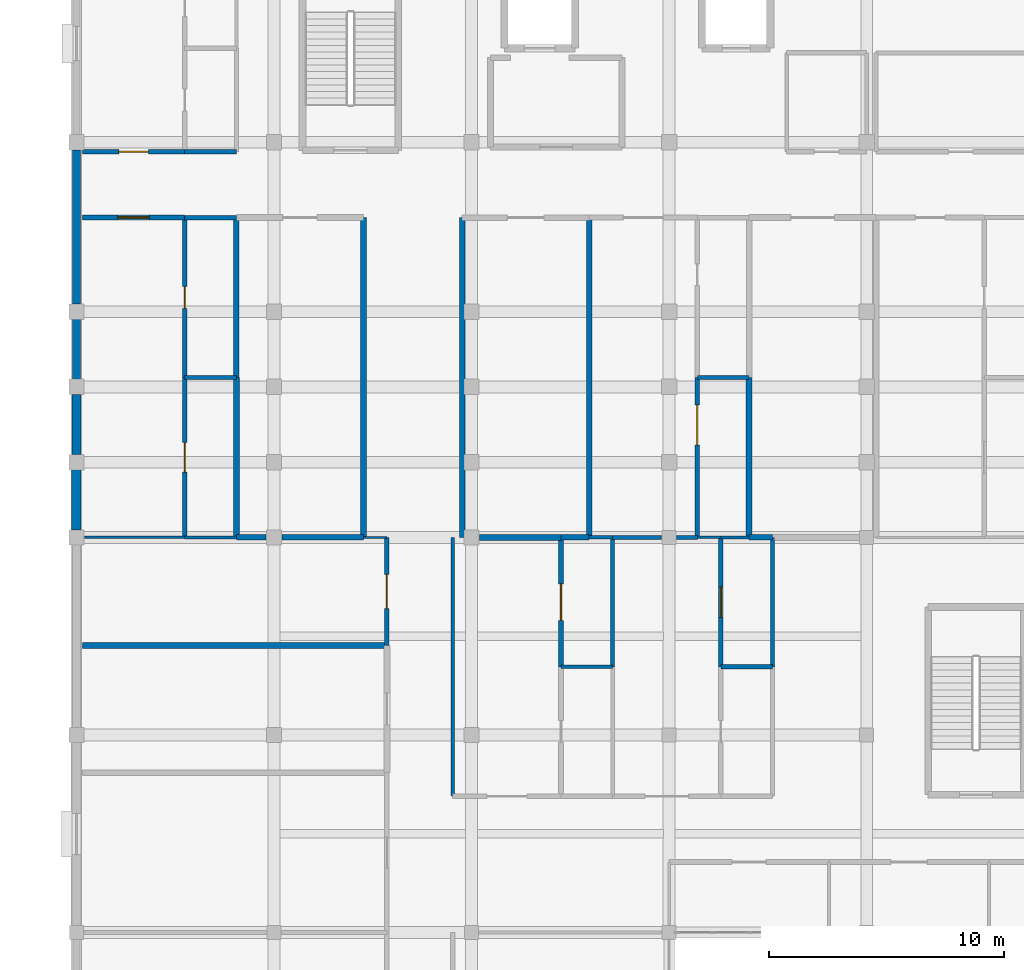
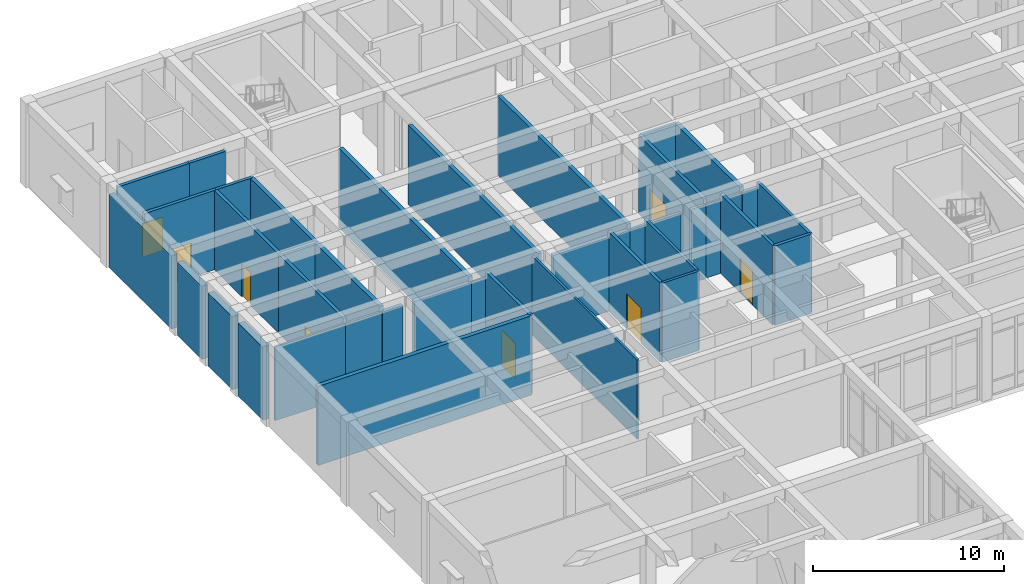
# One storey, part 56 of 89: 41 walls, 8 doors, 8 openings.
"""IFC4 building model written with IfcOpenShell, lengths in metres."""

from ifc_helpers import new_model, si_unit, direction, frame, frame_2d, origin, place, context, subcontext, project, spatial, rectangle, extrude, material, layer, layer_set, type_object, element, fill, save


model = new_model("IFC4")

# Units and contexts
model_context = context("Model", 3, precision=1e-05, world=origin(), true_north=direction((0.0, 1.0)))
body_context = subcontext(model_context, "Body", "Model", "MODEL_VIEW")
ifc_project = project(units=[si_unit("LENGTHUNIT", "METRE"), si_unit("AREAUNIT", "SQUARE_METRE"), si_unit("VOLUMEUNIT", "CUBIC_METRE"), si_unit("PLANEANGLEUNIT", "RADIAN"), si_unit("MASSUNIT", "GRAM", prefix="KILO")], contexts=[model_context])

# Site, building, storey
site_placement = place(None, origin())
site = spatial("IfcSite", under=ifc_project, at=site_placement, CompositionType="ELEMENT")
building_placement = place(site_placement, origin())
building = spatial("IfcBuilding", under=site, at=building_placement, Name="Varncliffe General Hospital", CompositionType="ELEMENT")
storey_placement = place(building_placement, frame((0.0, 0.0, 10.800048828125)))
storey = spatial("IfcBuildingStorey", under=building, at=storey_placement, Name="L02", CompositionType="ELEMENT", Elevation=10.800048828125)

# Walls
ifc_material_1 = material(Name="Precast concrete C40/50 with insulated cream lime-cement stucco", Category="concrete")
ifc_layer_1 = layer(ifc_material_1, 0.3798828125)
ifc_layer_set_1 = layer_set([ifc_layer_1], Name="Precast concrete C40/50 with insulated cream lime-cement stucco")
wall_type_1 = type_object("IfcWallType", Name="Exterior Insulated Stucco Wall EW26 (380mm)", PredefinedType="SOLIDWALL", material=ifc_layer_set_1)
wall_1_placement = place(storey_placement, frame((0.0, 103.123046875, 0.0), z_axis=(0.0, 0.0, 1.0), x_axis=(0.0, 1.0, 0.0)))
element("IfcWall", 1, at=wall_1_placement, inside=storey, type_object=wall_type_1, Name="L02 Exterior Stucco Wall EW26-168", PredefinedType="SOLIDWALL", context=body_context, shape_type="SweptSolid", body=[
    extrude(rectangle(XDim=2.553955078125, YDim=0.3798828125, at=frame_2d((1.27685546875, 0.0))), origin(), (0.0, 0.0, 1.0), 4.679931640625),
])
ifc_layer_2 = layer(ifc_material_1, 0.330078125)
ifc_layer_set_2 = layer_set([ifc_layer_2], Name="Precast concrete C40/50 with insulated cream lime-cement stucco")
wall_type_2 = type_object("IfcWallType", Name="Exterior Insulated Stucco Wall EW33 (330mm)", PredefinedType="SOLIDWALL", material=ifc_layer_set_2)
wall_2_placement = place(storey_placement, frame((0.0, 109.52294921875, 0.0), z_axis=(0.0, 0.0, 1.0), x_axis=(0.0, 1.0, 0.0)))
element("IfcWall", 2, at=wall_2_placement, inside=storey, type_object=wall_type_2, Name="L02 Exterior Stucco Wall EW33-170", PredefinedType="SOLIDWALL", context=body_context, shape_type="SweptSolid", body=[
    extrude(rectangle(XDim=6.553955078125, YDim=0.330078125, at=frame_2d((3.27685546875, 0.0))), origin(), (0.0, 0.0, 1.0), 4.679931640625),
])
ifc_layer_3 = layer(ifc_material_1, 0.35009765625)
ifc_layer_set_3 = layer_set([ifc_layer_3], Name="Precast concrete C40/50 with insulated cream lime-cement stucco")
wall_type_3 = type_object("IfcWallType", Name="Exterior Insulated Stucco Wall EW37 (350mm)", PredefinedType="SOLIDWALL", material=ifc_layer_set_3)
wall_3_placement = place(storey_placement, frame((0.0, 106.322998046875, 0.0), z_axis=(0.0, 0.0, 1.0), x_axis=(0.0, 1.0, 0.0)))
element("IfcWall", 3, at=wall_3_placement, inside=storey, type_object=wall_type_3, Name="L02 Exterior Stucco Wall EW37-169", PredefinedType="SOLIDWALL", context=body_context, shape_type="SweptSolid", body=[
    extrude(rectangle(XDim=2.553955078125, YDim=0.35009765625, at=frame_2d((1.27685546875, 0.0))), origin(), (0.0, 0.0, 1.0), 4.679931640625),
])
ifc_layer_4 = layer(ifc_material_1, 0.39990234375)
ifc_layer_set_4 = layer_set([ifc_layer_4], Name="Precast concrete C40/50 with insulated cream lime-cement stucco")
wall_type_4 = type_object("IfcWallType", Name="Exterior Insulated Stucco Wall EW47 (400mm)", PredefinedType="SOLIDWALL", material=ifc_layer_set_4)
wall_4_placement = place(storey_placement, frame((0.0, 99.923095703125, 0.0), z_axis=(0.0, 0.0, 1.0), x_axis=(0.0, 1.0, 0.0)))
element("IfcWall", 4, at=wall_4_placement, inside=storey, type_object=wall_type_4, Name="L02 Exterior Stucco Wall EW47-167", PredefinedType="SOLIDWALL", context=body_context, shape_type="SweptSolid", body=[
    extrude(rectangle(XDim=2.553955078125, YDim=0.39990234375, at=frame_2d((1.27685546875, 0.0))), origin(), (0.0, 0.0, 1.0), 4.679931640625),
])
ifc_material_2 = material(Name="Acoustic clinical gypsum stud partition assembly", Category="gypsum")
ifc_layer_5 = layer(ifc_material_2, 0.1298828125)
ifc_layer_set_5 = layer_set([ifc_layer_5], Name="Acoustic clinical gypsum stud partition assembly")
wall_type_5 = type_object("IfcWallType", Name="Interior Partitioning IW11 (130mm)", PredefinedType="PARTITIONING", material=ifc_layer_set_5)
wall_5_placement = place(storey_placement, frame((4.60009765625, 99.60009765625, 0.0), z_axis=(0.0, 0.0, 1.0), x_axis=(1.0, 0.0, 0.0)))
element("IfcWall", 5, at=wall_5_placement, inside=storey, type_object=wall_type_5, Name="L02 Interior Partition Wall IW11-993", PredefinedType="PARTITIONING", context=body_context, shape_type="SweptSolid", body=[
    extrude(rectangle(XDim=2.199951171875, YDim=0.1298828125, at=frame_2d((1.10009765625, 0.0))), origin(), (0.0, 0.0, 1.0), 4.73486328125),
])
wall_6_placement = place(storey_placement, frame((27.39990234375, 99.60009765625, 0.0), z_axis=(0.0, 0.0, 1.0), x_axis=(1.0, 0.0, 0.0)))
element("IfcWall", 6, at=wall_6_placement, inside=storey, type_object=wall_type_5, Name="L02 Interior Partition Wall IW11-1003", PredefinedType="PARTITIONING", context=body_context, shape_type="SweptSolid", body=[
    extrude(rectangle(XDim=1.2001953125, YDim=0.1298828125, at=frame_2d((0.60009765625, 0.0))), origin(), (0.0, 0.0, 1.0), 4.73486328125),
])
wall_7_placement = place(storey_placement, frame((16.0, 88.60009765625, 0.0), z_axis=(0.0, 0.0, 1.0), x_axis=(0.0, 1.0, 0.0)))
element("IfcWall", 7, at=wall_7_placement, inside=storey, type_object=wall_type_5, Name="L02 Interior Partition Wall IW11-1143", PredefinedType="PARTITIONING", context=body_context, shape_type="SweptSolid", body=[
    extrude(rectangle(XDim=11.0, YDim=0.1298828125, at=frame_2d((5.5, 0.0))), origin(), (0.0, 0.0, 1.0), 5.070068359375),
])
ifc_layer_6 = layer(ifc_material_2, 0.169921875)
ifc_layer_set_6 = layer_set([ifc_layer_6], Name="Acoustic clinical gypsum stud partition assembly")
wall_type_6 = type_object("IfcWallType", Name="Interior Partitioning IW20 (170mm)", PredefinedType="PARTITIONING", material=ifc_layer_set_6)
wall_8_placement = place(storey_placement, frame((22.800048828125, 99.60009765625, 0.0), z_axis=(0.0, 0.0, 1.0), x_axis=(1.0, 0.0, 0.0)))
element("IfcWall", 8, at=wall_8_placement, inside=storey, type_object=wall_type_6, Name="L02 Interior Partition Wall IW20-1000", PredefinedType="PARTITIONING", context=body_context, shape_type="SweptSolid", body=[
    extrude(rectangle(XDim=2.0849609375, YDim=0.169921875, at=frame_2d((1.04248046875, 0.0))), origin(), (0.0, 0.0, 1.0), 4.73486328125),
])
wall_9_placement = place(storey_placement, frame((25.514892578125, 99.60009765625, 0.0), z_axis=(0.0, 0.0, 1.0), x_axis=(1.0, 0.0, 0.0)))
element("IfcWall", 9, at=wall_9_placement, inside=storey, type_object=wall_type_6, Name="L02 Interior Partition Wall IW20-1001", PredefinedType="PARTITIONING", context=body_context, shape_type="SweptSolid", body=[
    extrude(rectangle(XDim=0.885009765625, YDim=0.169921875, at=frame_2d((0.4423828125, 0.0))), origin(), (0.0, 0.0, 1.0), 4.73486328125),
])
for number, where, z_axis, x_axis, name in (
    (10, (22.800048828125, 94.10009765625, 0.0), (0.0, 0.0, 1.0), (0.0, 1.0, 0.0), "L02 Interior Partition Wall IW20-1150"),
    (11, (29.60009765625, 94.10009765625, 0.0), (0.0, 0.0, 1.0), (0.0, 1.0, 0.0), "L02 Interior Partition Wall IW20-1160"),
):
    element("IfcWall", number, at=place(storey_placement, frame(where, z_axis=z_axis, x_axis=x_axis)), inside=storey, type_object=wall_type_6, Name=name, PredefinedType="PARTITIONING", context=body_context, shape_type="SweptSolid", body=[
        extrude(rectangle(XDim=5.5, YDim=0.169921875, at=frame_2d((2.75, 0.0))), origin(), (0.0, 0.0, 1.0), 5.070068359375),
    ])
ifc_layer_7 = layer(ifc_material_2, 0.14990234375)
ifc_layer_set_7 = layer_set([ifc_layer_7], Name="Acoustic clinical gypsum stud partition assembly")
wall_type_7 = type_object("IfcWallType", Name="Interior Partitioning IW35 (150mm)", PredefinedType="PARTITIONING", material=ifc_layer_set_7)
wall_10_placement = place(storey_placement, frame((21.800048828125, 99.60009765625, 0.0), z_axis=(0.0, 0.0, 1.0), x_axis=(1.0, 0.0, 0.0)))
element("IfcWall", 12, at=wall_10_placement, inside=storey, type_object=wall_type_7, Name="L02 Interior Partition Wall IW35-999", PredefinedType="PARTITIONING", context=body_context, shape_type="SweptSolid", body=[
    extrude(rectangle(XDim=1.0, YDim=0.14990234375, at=frame_2d((0.5, 0.0))), origin(), (0.0, 0.0, 1.0), 4.73486328125),
])
ifc_layer_8 = layer(ifc_material_2, 0.090087890625)
ifc_layer_set_8 = layer_set([ifc_layer_8], Name="Acoustic clinical gypsum stud partition assembly")
wall_type_8 = type_object("IfcWallType", Name="Interior Partitioning IW42 (90mm)", PredefinedType="PARTITIONING", material=ifc_layer_set_8)
wall_11_placement = place(storey_placement, frame((12.199951171875, 99.60009765625, 0.0), z_axis=(0.0, 0.0, 1.0), x_axis=(1.0, 0.0, 0.0)))
element("IfcWall", 13, at=wall_11_placement, inside=storey, type_object=wall_type_8, Name="L02 Interior Partition Wall IW42-996", PredefinedType="PARTITIONING", context=body_context, shape_type="SweptSolid", body=[
    extrude(rectangle(XDim=1.0, YDim=0.090087890625, at=frame_2d((0.5, 0.0))), origin(), (0.0, 0.0, 1.0), 4.73486328125),
])
ifc_layer_9 = layer(ifc_material_2, 0.110107421875)
ifc_layer_set_9 = layer_set([ifc_layer_9], Name="Acoustic clinical gypsum stud partition assembly")
wall_type_9 = type_object("IfcWallType", Name="Interior Partitioning IW65 (110mm)", PredefinedType="PARTITIONING", material=ifc_layer_set_9)
wall_12_placement = place(storey_placement, frame((0.340087890625, 99.60009765625, 0.0), z_axis=(0.0, 0.0, 1.0), x_axis=(1.0, 0.0, 0.0)))
element("IfcWall", 14, at=wall_12_placement, inside=storey, type_object=wall_type_9, Name="L02 Interior Partition Wall IW65-992", PredefinedType="PARTITIONING", context=body_context, shape_type="SweptSolid", body=[
    extrude(rectangle(XDim=4.260009765625, YDim=0.110107421875, at=frame_2d((2.1298828125, 0.0))), origin(), (0.0, 0.0, 1.0), 4.73486328125),
])
wall_13_placement = place(storey_placement, frame((26.39990234375, 99.60009765625, 0.0), z_axis=(0.0, 0.0, 1.0), x_axis=(1.0, 0.0, 0.0)))
element("IfcWall", 15, at=wall_13_placement, inside=storey, type_object=wall_type_9, Name="L02 Interior Partition Wall IW65-1002", PredefinedType="PARTITIONING", context=body_context, shape_type="SweptSolid", body=[
    extrude(rectangle(XDim=1.0, YDim=0.110107421875, at=frame_2d((0.5, 0.0))), origin(), (0.0, 0.0, 1.0), 4.73486328125),
])
ifc_material_3 = material(Name="Fire-rated gypsum and mineral-wool partition assembly", Category="gypsum")
ifc_layer_10 = layer(ifc_material_3, 0.25)
ifc_layer_set_10 = layer_set([ifc_layer_10], Name="Fire-rated gypsum and mineral-wool partition assembly")
wall_type_10 = type_object("IfcWallType", Name="Interior Partitioning PW38 (250mm)", PredefinedType="PARTITIONING", material=ifc_layer_set_10)
wall_14_placement = place(storey_placement, frame((0.260009765625, 95.0, 0.0), z_axis=(0.0, 0.0, 1.0), x_axis=(1.0, 0.0, 0.0)))
element("IfcWall", 16, at=wall_14_placement, inside=storey, type_object=wall_type_10, Name="L02 Interior Partition Wall PW38-989", PredefinedType="PARTITIONING", context=body_context, shape_type="SweptSolid", body=[
    extrude(rectangle(XDim=12.93994140625, YDim=0.25, at=frame_2d((6.469970703125, 0.0))), origin(), (0.0, 0.0, 1.0), 5.070068359375),
])
wall_15_placement = place(storey_placement, frame((17.139892578125, 99.60009765625, 0.0), z_axis=(0.0, 0.0, 1.0), x_axis=(1.0, 0.0, 0.0)))
element("IfcWall", 17, at=wall_15_placement, inside=storey, type_object=wall_type_10, Name="L02 Interior Partition Wall PW38-997", PredefinedType="PARTITIONING", context=body_context, shape_type="SweptSolid", body=[
    extrude(rectangle(XDim=3.460205078125, YDim=0.25, at=frame_2d((1.72998046875, 0.0))), origin(), (0.0, 0.0, 1.0), 4.73486328125),
])
wall_16_placement = place(storey_placement, frame((6.800048828125, 99.60009765625, 0.0), z_axis=(0.0, 0.0, 1.0), x_axis=(0.0, 1.0, 0.0)))
element("IfcWall", 18, at=wall_16_placement, inside=storey, type_object=wall_type_10, Name="L02 Interior Partition Wall PW38-1125", PredefinedType="PARTITIONING", context=body_context, shape_type="SweptSolid", body=[
    extrude(rectangle(XDim=6.7998046875, YDim=0.25, at=frame_2d((3.39990234375, 0.0))), origin(), (0.0, 0.0, 1.0), 5.070068359375),
])
wall_17_placement = place(storey_placement, frame((12.199951171875, 99.60009765625, 0.0), z_axis=(0.0, 0.0, 1.0), x_axis=(0.0, 1.0, 0.0)))
element("IfcWall", 19, at=wall_17_placement, inside=storey, type_object=wall_type_10, Name="L02 Interior Partition Wall PW38-1129", PredefinedType="PARTITIONING", context=body_context, shape_type="SweptSolid", body=[
    extrude(rectangle(XDim=13.599853515625, YDim=0.25, at=frame_2d((6.7998046875, 0.0))), origin(), (0.0, 0.0, 1.0), 5.070068359375),
])
wall_18_placement = place(storey_placement, frame((28.60009765625, 99.60009765625, 0.0), z_axis=(0.0, 0.0, 1.0), x_axis=(0.0, 1.0, 0.0)))
element("IfcWall", 20, at=wall_18_placement, inside=storey, type_object=wall_type_10, Name="L02 Interior Partition Wall PW38-1157", PredefinedType="PARTITIONING", context=body_context, shape_type="SweptSolid", body=[
    extrude(rectangle(XDim=6.7998046875, YDim=0.25, at=frame_2d((3.39990234375, 0.0))), origin(), (0.0, 0.0, 1.0), 5.070068359375),
])
ifc_layer_11 = layer(ifc_material_3, 0.22998046875)
ifc_layer_set_11 = layer_set([ifc_layer_11], Name="Fire-rated gypsum and mineral-wool partition assembly")
wall_type_11 = type_object("IfcWallType", Name="Interior Partitioning PW48 (230mm)", PredefinedType="PARTITIONING", material=ifc_layer_set_11)
wall_19_placement = place(storey_placement, frame((8.739990234375, 99.60009765625, 0.0), z_axis=(0.0, 0.0, 1.0), x_axis=(1.0, 0.0, 0.0)))
element("IfcWall", 21, at=wall_19_placement, inside=storey, type_object=wall_type_11, Name="L02 Interior Partition Wall PW48-994", PredefinedType="PARTITIONING", context=body_context, shape_type="SweptSolid", body=[
    extrude(rectangle(XDim=3.4599609375, YDim=0.22998046875, at=frame_2d((1.72998046875, 0.0))), origin(), (0.0, 0.0, 1.0), 4.73486328125),
])
wall_20_placement = place(storey_placement, frame((6.800048828125, 99.60009765625, 0.0), z_axis=(0.0, 0.0, 1.0), x_axis=(1.0, 0.0, 0.0)))
element("IfcWall", 22, at=wall_20_placement, inside=storey, type_object=wall_type_11, Name="L02 Interior Partition Wall PW48-995", PredefinedType="PARTITIONING", context=body_context, shape_type="SweptSolid", body=[
    extrude(rectangle(XDim=1.260009765625, YDim=0.22998046875, at=frame_2d((0.6298828125, 0.0))), origin(), (0.0, 0.0, 1.0), 4.73486328125),
])
wall_21_placement = place(storey_placement, frame((20.60009765625, 99.60009765625, 0.0), z_axis=(0.0, 0.0, 1.0), x_axis=(1.0, 0.0, 0.0)))
element("IfcWall", 23, at=wall_21_placement, inside=storey, type_object=wall_type_11, Name="L02 Interior Partition Wall PW48-998", PredefinedType="PARTITIONING", context=body_context, shape_type="SweptSolid", body=[
    extrude(rectangle(XDim=1.199951171875, YDim=0.22998046875, at=frame_2d((0.60009765625, 0.0))), origin(), (0.0, 0.0, 1.0), 4.73486328125),
])
wall_22_placement = place(storey_placement, frame((28.60009765625, 99.60009765625, 0.0), z_axis=(0.0, 0.0, 1.0), x_axis=(1.0, 0.0, 0.0)))
element("IfcWall", 24, at=wall_22_placement, inside=storey, type_object=wall_type_11, Name="L02 Interior Partition Wall PW48-1004", PredefinedType="PARTITIONING", context=body_context, shape_type="SweptSolid", body=[
    extrude(rectangle(XDim=1.0, YDim=0.22998046875, at=frame_2d((0.5, 0.0))), origin(), (0.0, 0.0, 1.0), 4.73486328125),
])
wall_23_placement = place(storey_placement, frame((6.800048828125, 106.39990234375, 0.0), z_axis=(0.0, 0.0, 1.0), x_axis=(0.0, 1.0, 0.0)))
element("IfcWall", 25, at=wall_23_placement, inside=storey, type_object=wall_type_11, Name="L02 Interior Partition Wall PW48-1126", PredefinedType="PARTITIONING", context=body_context, shape_type="SweptSolid", body=[
    extrude(rectangle(XDim=6.800048828125, YDim=0.22998046875, at=frame_2d((3.39990234375, 0.0))), origin(), (0.0, 0.0, 1.0), 5.070068359375),
])
for number, where, z_axis, x_axis, name in (
    (26, (16.39990234375, 99.60009765625, 0.0), (0.0, 0.0, 1.0), (0.0, 1.0, 0.0), "L02 Interior Partition Wall PW48-1144"),
    (27, (21.800048828125, 99.60009765625, 0.0), (0.0, 0.0, 1.0), (0.0, 1.0, 0.0), "L02 Interior Partition Wall PW48-1148"),
):
    element("IfcWall", number, at=place(storey_placement, frame(where, z_axis=z_axis, x_axis=x_axis)), inside=storey, type_object=wall_type_11, Name=name, PredefinedType="PARTITIONING", context=body_context, shape_type="SweptSolid", body=[
        extrude(rectangle(XDim=13.599853515625, YDim=0.22998046875, at=frame_2d((6.7998046875, 0.0))), origin(), (0.0, 0.0, 1.0), 5.070068359375),
    ])

# Wall, opening, door
ifc_layer_12 = layer(ifc_material_3, 0.199951171875)
ifc_layer_set_12 = layer_set([ifc_layer_12], Name="Fire-rated gypsum and mineral-wool partition assembly")
wall_type_12 = type_object("IfcWallType", Name="Interior Partitioning PW63 (200mm)", PredefinedType="PARTITIONING", material=ifc_layer_set_12)
wall_24_placement = place(storey_placement, frame((0.260009765625, 113.199951171875, 0.0), z_axis=(0.0, 0.0, 1.0), x_axis=(1.0, 0.0, 0.0)))
wall_24 = element("IfcWall", 28, at=wall_24_placement, inside=storey, type_object=wall_type_12, Name="L02 Interior Partition Wall PW63-1063", PredefinedType="PARTITIONING", context=body_context, shape_type="SweptSolid", body=[
    extrude(rectangle(XDim=4.340087890625, YDim=0.199951171875, at=frame_2d((2.169921875, 0.0))), origin(), (0.0, 0.0, 1.0), 5.070068359375),
])
opening_1_placement = place(wall_24_placement, frame((1.4951171875, 0.0, 0.0)))
opening_1 = element("IfcOpeningElement", 29, at=opening_1_placement, cuts=wall_24, Name="Opening DC85", PredefinedType="OPENING", context=body_context, shape_type="SweptSolid", body=[
    extrude(rectangle(XDim=1.35009765625, YDim=2.199951171875, at=frame_2d((0.675048828125, 1.10009765625))), frame((0.0, 0.10986328125, 0.0), z_axis=(0.0, -1.0, 0.0), x_axis=(1.0, 0.0, 0.0)), (0.0, 0.0, 1.0), 0.219970703125),
])
ifc_material_4 = material(Name="Fire-rated hospital steel-frame vision-panel door", Category="steel")
door_type_1 = type_object("IfcDoorType", Name="Interior Hospital Door DC85 (1350x2200)", OperationType="NOTDEFINED", PredefinedType="DOOR", material=ifc_material_4)
door_1_placement = place(opening_1_placement, frame((1.35009765625, 0.0, 0.0), z_axis=(0.0, 0.0, 1.0), x_axis=(-1.0, 0.0, 0.0)))
door_1 = element("IfcDoor", 30, at=door_1_placement, inside=storey, type_object=door_type_1, Name="L02 Surgical Inpatient Ward Room 109 Door", OperationType="SINGLE_SWING_RIGHT", OverallHeight=2.199951171875, OverallWidth=1.35009765625, PredefinedType="DOOR", context=body_context, shape_type="SweptSolid", body=[
    extrude(rectangle(XDim=1.35009765625, YDim=2.199951171875, at=frame_2d((0.675048828125, 1.10009765625))), frame((0.0, 0.02490234375, 0.0), z_axis=(0.0, -1.0, 0.0), x_axis=(1.0, 0.0, 0.0)), (0.0, 0.0, 1.0), 0.050048828125),
])
fill(opening_1, door_1)

wall_25_placement = place(storey_placement, frame((0.260009765625, 116.0, 0.0), z_axis=(0.0, 0.0, 1.0), x_axis=(1.0, 0.0, 0.0)))
wall_25 = element("IfcWall", 31, at=wall_25_placement, inside=storey, type_object=wall_type_12, Name="L02 Interior Partition Wall PW63-1091", PredefinedType="PARTITIONING", context=body_context, shape_type="SweptSolid", body=[
    extrude(rectangle(XDim=4.340087890625, YDim=0.199951171875, at=frame_2d((2.169921875, 0.0))), origin(), (0.0, 0.0, 1.0), 5.070068359375),
])
opening_2_placement = place(wall_25_placement, frame((1.544921875, 0.0, 0.0)))
opening_2 = element("IfcOpeningElement", 32, at=opening_2_placement, cuts=wall_25, Name="Opening DC44", PredefinedType="OPENING", context=body_context, shape_type="SweptSolid", body=[
    extrude(rectangle(XDim=1.25, YDim=2.14990234375, at=frame_2d((0.625, 1.074951171875))), frame((0.0, 0.10986328125, 0.0), z_axis=(0.0, -1.0, 0.0), x_axis=(1.0, 0.0, 0.0)), (0.0, 0.0, 1.0), 0.219970703125),
])
door_type_2 = type_object("IfcDoorType", Name="Interior Hospital Door DC44 (1250x2150)", OperationType="NOTDEFINED", PredefinedType="DOOR", material=ifc_material_4)
door_2_placement = place(opening_2_placement, origin())
door_2 = element("IfcDoor", 33, at=door_2_placement, inside=storey, type_object=door_type_2, Name="L02 Surgical Inpatient Ward Room 146 Door", OperationType="SINGLE_SWING_LEFT", OverallHeight=2.14990234375, OverallWidth=1.25, PredefinedType="DOOR", context=body_context, shape_type="SweptSolid", body=[
    extrude(rectangle(XDim=1.25, YDim=2.14990234375, at=frame_2d((0.625, 1.074951171875))), frame((0.0, 0.02490234375, 0.0), z_axis=(0.0, -1.0, 0.0), x_axis=(1.0, 0.0, 0.0)), (0.0, 0.0, 1.0), 0.050048828125),
])
fill(opening_2, door_2)

wall_26_placement = place(storey_placement, frame((4.60009765625, 99.60009765625, 0.0), z_axis=(0.0, 0.0, 1.0), x_axis=(0.0, 1.0, 0.0)))
wall_26 = element("IfcWall", 34, at=wall_26_placement, inside=storey, type_object=wall_type_12, Name="L02 Interior Partition Wall PW63-1121", PredefinedType="PARTITIONING", context=body_context, shape_type="SweptSolid", body=[
    extrude(rectangle(XDim=6.7998046875, YDim=0.199951171875, at=frame_2d((3.39990234375, 0.0))), origin(), (0.0, 0.0, 1.0), 5.070068359375),
])
opening_3_placement = place(wall_26_placement, frame((2.77490234375, 0.0, 0.0)))
opening_3 = element("IfcOpeningElement", 35, at=opening_3_placement, cuts=wall_26, Name="Opening DC44", PredefinedType="OPENING", context=body_context, shape_type="SweptSolid", body=[
    extrude(rectangle(XDim=1.25, YDim=2.14990234375, at=frame_2d((0.625, 1.074951171875))), frame((0.0, 0.10986328125, 0.0), z_axis=(0.0, -1.0, 0.0), x_axis=(1.0, 0.0, 0.0)), (0.0, 0.0, 1.0), 0.219970703125),
])
door_3_placement = place(opening_3_placement, frame((1.25, 0.0, 0.0), z_axis=(0.0, 0.0, 1.0), x_axis=(-1.0, 0.0, 0.0)))
door_3 = element("IfcDoor", 36, at=door_3_placement, inside=storey, type_object=door_type_2, Name="L02 Patient Medication and Hygiene Bay 111 Door", OperationType="SINGLE_SWING_LEFT", OverallHeight=2.14990234375, OverallWidth=1.25, PredefinedType="DOOR", context=body_context, shape_type="SweptSolid", body=[
    extrude(rectangle(XDim=1.25, YDim=2.14990234375, at=frame_2d((0.625, 1.074951171875))), frame((0.0, 0.02490234375, 0.0), z_axis=(0.0, -1.0, 0.0), x_axis=(1.0, 0.0, 0.0)), (0.0, 0.0, 1.0), 0.050048828125),
])
fill(opening_3, door_3)

wall_27_placement = place(storey_placement, frame((4.60009765625, 106.39990234375, 0.0), z_axis=(0.0, 0.0, 1.0), x_axis=(0.0, 1.0, 0.0)))
wall_27 = element("IfcWall", 37, at=wall_27_placement, inside=storey, type_object=wall_type_12, Name="L02 Interior Partition Wall PW63-1122", PredefinedType="PARTITIONING", context=body_context, shape_type="SweptSolid", body=[
    extrude(rectangle(XDim=6.800048828125, YDim=0.199951171875, at=frame_2d((3.39990234375, 0.0))), origin(), (0.0, 0.0, 1.0), 5.070068359375),
])
opening_4_placement = place(wall_27_placement, frame((2.93994140625, 0.0, 0.0)))
opening_4 = element("IfcOpeningElement", 38, at=opening_4_placement, cuts=wall_27, Name="Opening DI70", PredefinedType="OPENING", context=body_context, shape_type="SweptSolid", body=[
    extrude(rectangle(XDim=0.919921875, YDim=2.10009765625, at=frame_2d((0.4599609375, 1.050048828125))), frame((0.0, 0.10986328125, 0.0), z_axis=(0.0, -1.0, 0.0), x_axis=(1.0, 0.0, 0.0)), (0.0, 0.0, 1.0), 0.219970703125),
])
ifc_material_5 = material(Name="Solid-core antimicrobial hospital oak veneer door", Category="wood")
door_type_3 = type_object("IfcDoorType", Name="Interior Hospital Door DI70 (920x2100)", OperationType="NOTDEFINED", PredefinedType="DOOR", material=ifc_material_5)
door_4_placement = place(opening_4_placement, frame((0.919921875, 0.0, 0.0), z_axis=(0.0, 0.0, 1.0), x_axis=(-1.0, 0.0, 0.0)))
door_4 = element("IfcDoor", 39, at=door_4_placement, inside=storey, type_object=door_type_3, Name="L02 En-Suite Bathroom 110 Door", OperationType="SINGLE_SWING_RIGHT", OverallHeight=2.10009765625, OverallWidth=0.919921875, PredefinedType="DOOR", context=body_context, shape_type="SweptSolid", body=[
    extrude(rectangle(XDim=0.919921875, YDim=2.10009765625, at=frame_2d((0.4599609375, 1.050048828125))), frame((0.0, 0.02490234375, 0.0), z_axis=(0.0, -1.0, 0.0), x_axis=(1.0, 0.0, 0.0)), (0.0, 0.0, 1.0), 0.050048828125),
])
fill(opening_4, door_4)

wall_28_placement = place(storey_placement, frame((13.199951171875, 95.0, 0.0), z_axis=(0.0, 0.0, 1.0), x_axis=(0.0, 1.0, 0.0)))
wall_28 = element("IfcWall", 40, at=wall_28_placement, inside=storey, type_object=wall_type_12, Name="L02 Interior Partition Wall PW63-1136", PredefinedType="PARTITIONING", context=body_context, shape_type="SweptSolid", body=[
    extrude(rectangle(XDim=4.60009765625, YDim=0.199951171875, at=frame_2d((2.300048828125, 0.0))), origin(), (0.0, 0.0, 1.0), 5.070068359375),
])
opening_5_placement = place(wall_28_placement, frame((1.574951171875, 0.0, 0.0)))
opening_5 = element("IfcOpeningElement", 41, at=opening_5_placement, cuts=wall_28, Name="Opening DC66", PredefinedType="OPENING", context=body_context, shape_type="SweptSolid", body=[
    extrude(rectangle(XDim=1.449951171875, YDim=2.25, at=frame_2d((0.72509765625, 1.125))), frame((0.0, 0.10986328125, 0.0), z_axis=(0.0, -1.0, 0.0), x_axis=(1.0, 0.0, 0.0)), (0.0, 0.0, 1.0), 0.219970703125),
])
door_type_4 = type_object("IfcDoorType", Name="Interior Hospital Door DC66 (1450x2250)", OperationType="NOTDEFINED", PredefinedType="DOOR", material=ifc_material_4)
door_5_placement = place(opening_5_placement, origin())
door_5 = element("IfcDoor", 42, at=door_5_placement, inside=storey, type_object=door_type_4, Name="L02 Surgical Inpatient Ward Room 161 Door", OperationType="SINGLE_SWING_LEFT", OverallHeight=2.25, OverallWidth=1.449951171875, PredefinedType="DOOR", context=body_context, shape_type="SweptSolid", body=[
    extrude(rectangle(XDim=1.449951171875, YDim=2.25, at=frame_2d((0.72509765625, 1.125))), frame((0.0, 0.02490234375, 0.0), z_axis=(0.0, -1.0, 0.0), x_axis=(1.0, 0.0, 0.0)), (0.0, 0.0, 1.0), 0.050048828125),
])
fill(opening_5, door_5)

wall_29_placement = place(storey_placement, frame((20.60009765625, 94.10009765625, 0.0), z_axis=(0.0, 0.0, 1.0), x_axis=(0.0, 1.0, 0.0)))
wall_29 = element("IfcWall", 43, at=wall_29_placement, inside=storey, type_object=wall_type_12, Name="L02 Interior Partition Wall PW63-1147", PredefinedType="PARTITIONING", context=body_context, shape_type="SweptSolid", body=[
    extrude(rectangle(XDim=5.5, YDim=0.199951171875, at=frame_2d((2.75, 0.0))), origin(), (0.0, 0.0, 1.0), 5.070068359375),
])
opening_6_placement = place(wall_29_placement, frame((1.97509765625, 0.0, 0.0)))
opening_6 = element("IfcOpeningElement", 44, at=opening_6_placement, cuts=wall_29, Name="Opening DC67", PredefinedType="OPENING", context=body_context, shape_type="SweptSolid", body=[
    extrude(rectangle(XDim=1.550048828125, YDim=2.25, at=frame_2d((0.77490234375, 1.125))), frame((0.0, 0.10986328125, 0.0), z_axis=(0.0, -1.0, 0.0), x_axis=(1.0, 0.0, 0.0)), (0.0, 0.0, 1.0), 0.219970703125),
])
door_type_5 = type_object("IfcDoorType", Name="Interior Hospital Door DC67 (1550x2250)", OperationType="NOTDEFINED", PredefinedType="DOOR", material=ifc_material_4)
door_6_placement = place(opening_6_placement, frame((1.550048828125, 0.0, 0.0), z_axis=(0.0, 0.0, 1.0), x_axis=(-1.0, 0.0, 0.0)))
door_6 = element("IfcDoor", 45, at=door_6_placement, inside=storey, type_object=door_type_5, Name="L02 Patient Medication and Hygiene Bay 53 Door", OperationType="SINGLE_SWING_LEFT", OverallHeight=2.25, OverallWidth=1.550048828125, PredefinedType="DOOR", context=body_context, shape_type="SweptSolid", body=[
    extrude(rectangle(XDim=1.550048828125, YDim=2.25, at=frame_2d((0.77490234375, 1.125))), frame((0.0, 0.02490234375, 0.0), z_axis=(0.0, -1.0, 0.0), x_axis=(1.0, 0.0, 0.0)), (0.0, 0.0, 1.0), 0.050048828125),
])
fill(opening_6, door_6)

wall_30_placement = place(storey_placement, frame((26.39990234375, 99.60009765625, 0.0), z_axis=(0.0, 0.0, 1.0), x_axis=(0.0, 1.0, 0.0)))
wall_30 = element("IfcWall", 46, at=wall_30_placement, inside=storey, type_object=wall_type_12, Name="L02 Interior Partition Wall PW63-1153", PredefinedType="PARTITIONING", context=body_context, shape_type="SweptSolid", body=[
    extrude(rectangle(XDim=6.7998046875, YDim=0.199951171875, at=frame_2d((3.39990234375, 0.0))), origin(), (0.0, 0.0, 1.0), 5.070068359375),
])
opening_7_placement = place(wall_30_placement, frame((3.93603515625, 0.0, 0.0)))
opening_7 = element("IfcOpeningElement", 47, at=opening_7_placement, cuts=wall_30, Name="Opening DC50", PredefinedType="OPENING", context=body_context, shape_type="SweptSolid", body=[
    extrude(rectangle(XDim=1.699951171875, YDim=2.300048828125, at=frame_2d((0.85009765625, 1.14990234375))), frame((0.0, 0.10986328125, 0.0), z_axis=(0.0, -1.0, 0.0), x_axis=(1.0, 0.0, 0.0)), (0.0, 0.0, 1.0), 0.219970703125),
])
door_type_6 = type_object("IfcDoorType", Name="Interior Hospital Door DC50 (1700x2300)", OperationType="NOTDEFINED", PredefinedType="DOOR", material=ifc_material_4)
door_7_placement = place(opening_7_placement, frame((1.699951171875, 0.0, 0.0), z_axis=(0.0, 0.0, 1.0), x_axis=(-1.0, 0.0, 0.0)))
door_7 = element("IfcDoor", 48, at=door_7_placement, inside=storey, type_object=door_type_6, Name="L02 Patient Medication and Hygiene Bay 116 Door", OperationType="SINGLE_SWING_RIGHT", OverallHeight=2.300048828125, OverallWidth=1.699951171875, PredefinedType="DOOR", context=body_context, shape_type="SweptSolid", body=[
    extrude(rectangle(XDim=1.699951171875, YDim=2.300048828125, at=frame_2d((0.85009765625, 1.14990234375))), frame((0.0, 0.02490234375, 0.0), z_axis=(0.0, -1.0, 0.0), x_axis=(1.0, 0.0, 0.0)), (0.0, 0.0, 1.0), 0.050048828125),
])
fill(opening_7, door_7)

wall_31_placement = place(storey_placement, frame((27.39990234375, 94.10009765625, 0.0), z_axis=(0.0, 0.0, 1.0), x_axis=(0.0, 1.0, 0.0)))
wall_31 = element("IfcWall", 49, at=wall_31_placement, inside=storey, type_object=wall_type_12, Name="L02 Interior Partition Wall PW63-1156", PredefinedType="PARTITIONING", context=body_context, shape_type="SweptSolid", body=[
    extrude(rectangle(XDim=5.5, YDim=0.199951171875, at=frame_2d((2.75, 0.0))), origin(), (0.0, 0.0, 1.0), 5.070068359375),
])
opening_8_placement = place(wall_31_placement, frame((2.10009765625, 0.0, 0.0)))
opening_8 = element("IfcOpeningElement", 50, at=opening_8_placement, cuts=wall_31, Name="Opening DC88", PredefinedType="OPENING", context=body_context, shape_type="SweptSolid", body=[
    extrude(rectangle(XDim=1.300048828125, YDim=2.199951171875, at=frame_2d((0.64990234375, 1.10009765625))), frame((0.0, 0.10986328125, 0.0), z_axis=(0.0, -1.0, 0.0), x_axis=(1.0, 0.0, 0.0)), (0.0, 0.0, 1.0), 0.219970703125),
])
door_type_7 = type_object("IfcDoorType", Name="Interior Hospital Door DC88 (1300x2200)", OperationType="NOTDEFINED", PredefinedType="DOOR", material=ifc_material_4)
door_8_placement = place(opening_8_placement, frame((1.300048828125, 0.0, 0.0), z_axis=(0.0, 0.0, 1.0), x_axis=(-1.0, 0.0, 0.0)))
door_8 = element("IfcDoor", 51, at=door_8_placement, inside=storey, type_object=door_type_7, Name="L02 Patient Medication and Hygiene Bay 56 Door", OperationType="SINGLE_SWING_LEFT", OverallHeight=2.199951171875, OverallWidth=1.300048828125, PredefinedType="DOOR", context=body_context, shape_type="SweptSolid", body=[
    extrude(rectangle(XDim=1.300048828125, YDim=2.199951171875, at=frame_2d((0.64990234375, 1.10009765625))), frame((0.0, 0.02490234375, 0.0), z_axis=(0.0, -1.0, 0.0), x_axis=(1.0, 0.0, 0.0)), (0.0, 0.0, 1.0), 0.050048828125),
])
fill(opening_8, door_8)

# Walls
ifc_material_6 = material(Name="Moisture-resistant plumbing chase wall assembly", Category="gypsum")
ifc_layer_13 = layer(ifc_material_6, 0.18994140625)
ifc_layer_set_13 = layer_set([ifc_layer_13], Name="Moisture-resistant plumbing chase wall assembly")
wall_type_13 = type_object("IfcWallType", Name="Interior Plumbingwall MW17 (190mm)", PredefinedType="PLUMBINGWALL", material=ifc_layer_set_13)
wall_32_placement = place(storey_placement, frame((27.39990234375, 94.10009765625, 0.0), z_axis=(0.0, 0.0, 1.0), x_axis=(1.0, 0.0, 0.0)))
element("IfcWall", 52, at=wall_32_placement, inside=storey, type_object=wall_type_13, Name="L02 Interior Plumbing Wall MW17-986", PredefinedType="PLUMBINGWALL", context=body_context, shape_type="SweptSolid", body=[
    extrude(rectangle(XDim=2.2001953125, YDim=0.18994140625, at=frame_2d((1.10009765625, 0.0))), origin(), (0.0, 0.0, 1.0), 5.070068359375),
])
for number, where, z_axis, x_axis, name in (
    (53, (4.60009765625, 106.39990234375, 0.0), (0.0, 0.0, 1.0), (1.0, 0.0, 0.0), "L02 Interior Plumbing Wall MW17-1054"),
    (54, (4.60009765625, 113.199951171875, 0.0), (0.0, 0.0, 1.0), (1.0, 0.0, 0.0), "L02 Interior Plumbing Wall MW17-1064"),
    (55, (4.60009765625, 116.0, 0.0), (0.0, 0.0, 1.0), (1.0, 0.0, 0.0), "L02 Interior Plumbing Wall MW17-1092"),
):
    element("IfcWall", number, at=place(storey_placement, frame(where, z_axis=z_axis, x_axis=x_axis)), inside=storey, type_object=wall_type_13, Name=name, PredefinedType="PLUMBINGWALL", context=body_context, shape_type="SweptSolid", body=[
        extrude(rectangle(XDim=2.199951171875, YDim=0.18994140625, at=frame_2d((1.10009765625, 0.0))), origin(), (0.0, 0.0, 1.0), 5.070068359375),
    ])
ifc_layer_14 = layer(ifc_material_6, 0.159912109375)
ifc_layer_set_14 = layer_set([ifc_layer_14], Name="Moisture-resistant plumbing chase wall assembly")
wall_type_14 = type_object("IfcWallType", Name="Interior Plumbingwall MW31 (160mm)", PredefinedType="PLUMBINGWALL", material=ifc_layer_set_14)
wall_33_placement = place(storey_placement, frame((20.60009765625, 94.10009765625, 0.0), z_axis=(0.0, 0.0, 1.0), x_axis=(1.0, 0.0, 0.0)))
element("IfcWall", 56, at=wall_33_placement, inside=storey, type_object=wall_type_14, Name="L02 Interior Plumbing Wall MW31-985", PredefinedType="PLUMBINGWALL", context=body_context, shape_type="SweptSolid", body=[
    extrude(rectangle(XDim=2.199951171875, YDim=0.159912109375, at=frame_2d((1.10009765625, 0.0))), origin(), (0.0, 0.0, 1.0), 5.070068359375),
])
wall_34_placement = place(storey_placement, frame((26.39990234375, 106.39990234375, 0.0), z_axis=(0.0, 0.0, 1.0), x_axis=(1.0, 0.0, 0.0)))
element("IfcWall", 57, at=wall_34_placement, inside=storey, type_object=wall_type_14, Name="L02 Interior Plumbing Wall MW31-1055", PredefinedType="PLUMBINGWALL", context=body_context, shape_type="SweptSolid", body=[
    extrude(rectangle(XDim=2.2001953125, YDim=0.159912109375, at=frame_2d((1.10009765625, 0.0))), origin(), (0.0, 0.0, 1.0), 5.070068359375),
])

save(model, "model.ifc")
